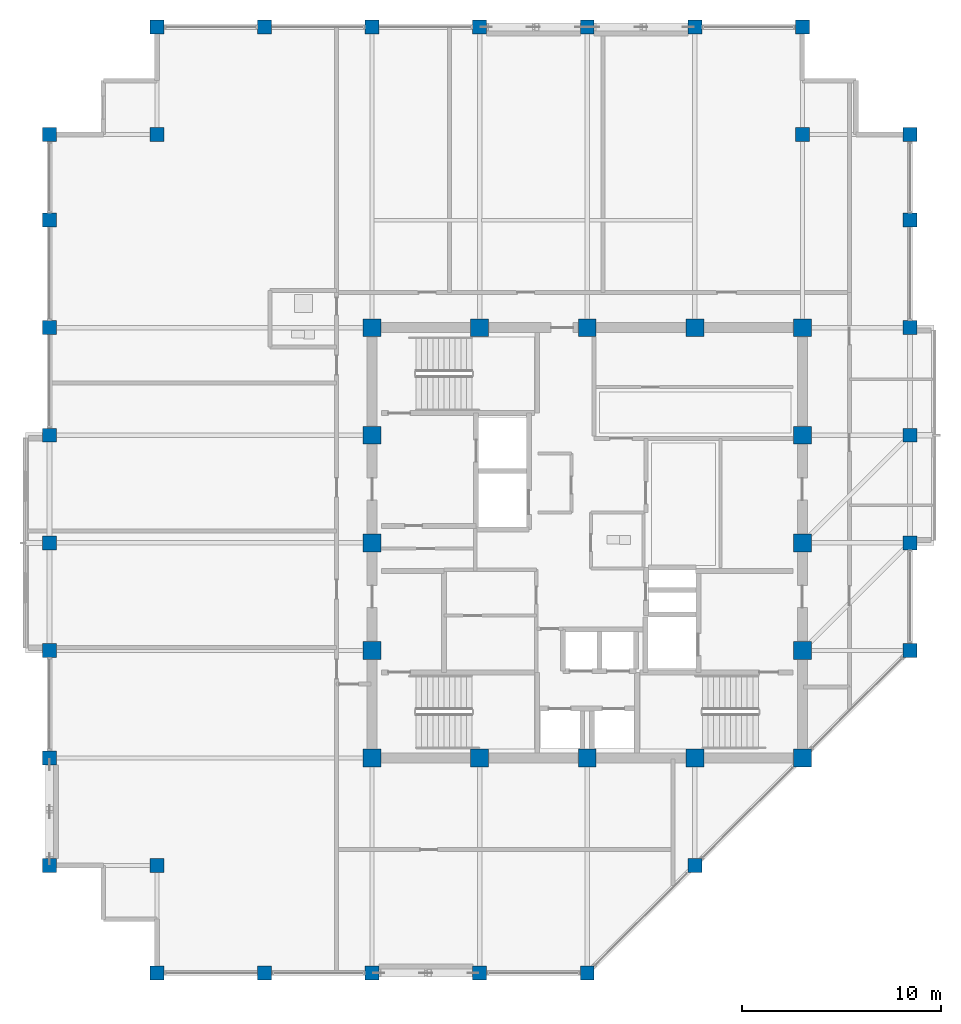
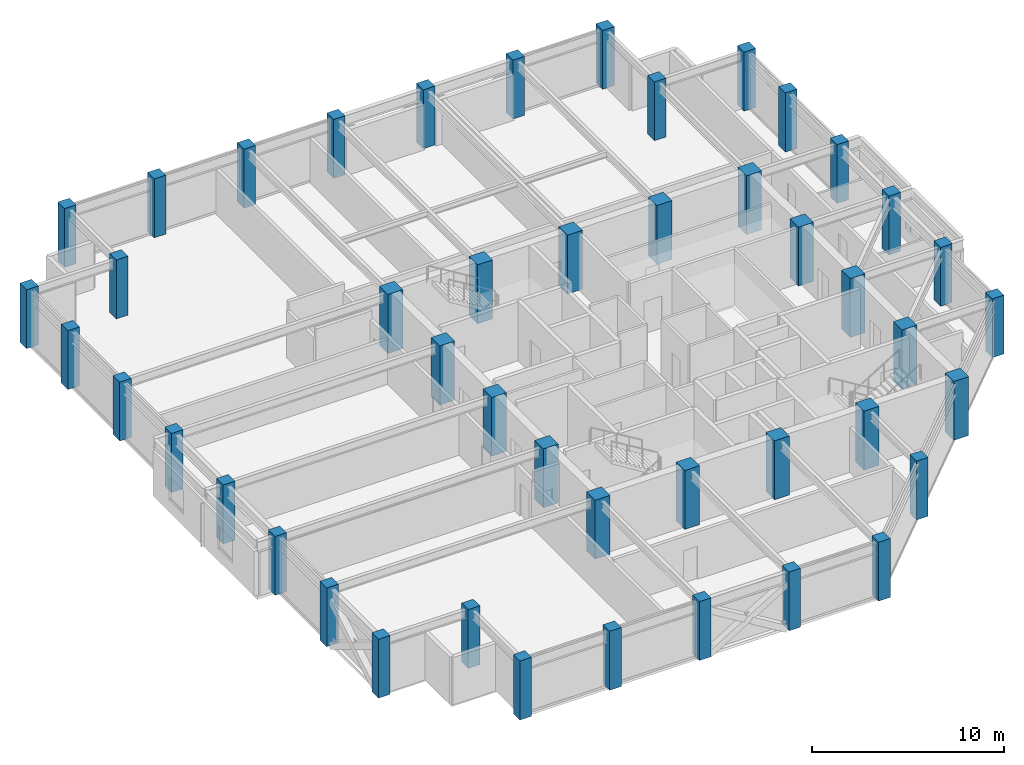
# One storey, part 1 of 29: 46 columns.
"""IFC4 building model written with IfcOpenShell, lengths in metres."""

import ifcopenshell
import ifcopenshell.guid

model = None  # the IFC model being written
_history = None  # IfcOwnerHistory: only IFC2X3 demands one
_inside = {}  # id of a spatial element -> (the spatial element, [elements in it])
_under = {}  # id of a project, library or spatial element -> (it, [spatial elements below it])
_declared = {}  # id of a project -> (the project, [libraries it declares])
_typed = {}  # id of a type object -> (the type object, [elements of that type])
_made_of = {}  # id of a material, layer set ... -> (it, [elements and type objects made of it])


def new_model(schema):
    """Start an empty IFC model of exactly this schema.

    Asked for "IFC4X3", IfcOpenShell would pick the latest addendum, in which some entities
    have other attributes; the version numbers below select the first issue.
    IFC2X3 requires an IfcOwnerHistory on every rooted entity: one is made here for all.
    """
    global model, _history
    if schema == "IFC4X3":
        model = ifcopenshell.file(schema_version=(4, 3, 0, 0))
    else:
        model = ifcopenshell.file(schema=schema)
    _inside.clear()
    _under.clear()
    _declared.clear()
    _typed.clear()
    _made_of.clear()
    _history = None
    if model.schema == "IFC2X3":
        org = make("IfcOrganization", Name="unknown")
        user = make(
            "IfcPersonAndOrganization",
            ThePerson=make("IfcPerson", FamilyName="unknown"),
            TheOrganization=org,
        )
        app = make(
            "IfcApplication",
            ApplicationDeveloper=org,
            Version="unknown",
            ApplicationFullName="unknown",
            ApplicationIdentifier="unknown",
        )
        _history = make(
            "IfcOwnerHistory",
            OwningUser=user,
            OwningApplication=app,
            ChangeAction="ADDED",
            CreationDate=0,
        )
    return model


def make(cls, **values):
    """One entity of the class cls with the attributes given. An attribute that is None is left unset."""
    return model.create_entity(
        cls, **{name: value for name, value in values.items() if value is not None}
    )


def rooted(cls, **values):
    """An entity with a GlobalId (a new one), such as an element, a storey or a relation."""
    return make(cls, GlobalId=ifcopenshell.guid.new(), OwnerHistory=_history, **values)


def si_unit(unit_type, name, prefix=None):
    """IfcSIUnit, for example si_unit("LENGTHUNIT", "METRE", prefix="MILLI")."""
    return make("IfcSIUnit", UnitType=unit_type, Prefix=prefix, Name=name)


def assignment(units):
    """IfcUnitAssignment: the units of a project."""
    return None if units is None else make("IfcUnitAssignment", Units=units)


def point(xyz):
    """IfcCartesianPoint."""
    return None if xyz is None else make("IfcCartesianPoint", Coordinates=xyz)


def direction(xyz):
    """IfcDirection."""
    return None if xyz is None else make("IfcDirection", DirectionRatios=xyz)


def frame(location, z_axis=None, x_axis=None):
    """IfcAxis2Placement3D, a coordinate frame: its origin and axes. An axis left out is left unset."""
    return make(
        "IfcAxis2Placement3D",
        Location=point(location),
        Axis=direction(z_axis),
        RefDirection=direction(x_axis),
    )


def frame_2d(location, x_axis=None):
    """IfcAxis2Placement2D, a coordinate frame in the plane: its origin and x axis."""
    return make(
        "IfcAxis2Placement2D", Location=point(location), RefDirection=direction(x_axis)
    )


def origin():
    """The frame at (0, 0, 0) with its axes left unset."""
    return frame((0.0, 0.0, 0.0))


def origin_2d():
    """The frame at (0, 0) in the plane with its x axis left unset."""
    return frame_2d((0.0, 0.0))


def place(relative_to, where):
    """IfcLocalPlacement: puts the frame where relative to a parent placement (None: the world)."""
    return make(
        "IfcLocalPlacement", PlacementRelTo=relative_to, RelativePlacement=where
    )


def context(
    kind, dimensions, precision=None, world=None, true_north=None, identifier=None
):
    """IfcGeometricRepresentationContext, for example the 3D "Model" context."""
    return make(
        "IfcGeometricRepresentationContext",
        ContextIdentifier=identifier,
        ContextType=kind,
        CoordinateSpaceDimension=dimensions,
        Precision=precision,
        WorldCoordinateSystem=world,
        TrueNorth=true_north,
    )


def subcontext(parent, identifier, kind, view, scale=None):
    """IfcGeometricRepresentationSubContext, for example "Body" below "Model"."""
    return make(
        "IfcGeometricRepresentationSubContext",
        ContextIdentifier=identifier,
        ContextType=kind,
        ParentContext=parent,
        TargetScale=scale,
        TargetView=view,
    )


def project(units=None, contexts=None):
    """IfcProject with its units and contexts."""
    return rooted(
        "IfcProject",
        Name="project",
        RepresentationContexts=contexts,
        UnitsInContext=assignment(units),
    )


def spatial(cls, under=None, at=None, **own):
    """A site, building, storey or space (cls), placed at a placement, below another one or the project."""
    s = rooted(cls, ObjectPlacement=at, **own)
    if under is not None:
        _under.setdefault(under.id(), (under, []))[1].append(s)
    return s


def profile(cls, at=None, kind="AREA", **sizes):
    """A parametric profile (cls). Its sizes go by their IFC names, for example OverallWidth=200.0."""
    return make(cls, ProfileType=kind, Position=at, **sizes)


def rectangle(**sizes):
    """IfcRectangleProfileDef."""
    return profile("IfcRectangleProfileDef", **sizes)


def extrude(swept, where, along, depth):
    """IfcExtrudedAreaSolid: the profile swept, set in the frame where, extruded along a direction by depth."""
    return make(
        "IfcExtrudedAreaSolid",
        SweptArea=swept,
        Position=where,
        ExtrudedDirection=direction(along),
        Depth=depth,
    )


def shape(context_of_items, identifier, shape_type, items):
    """IfcShapeRepresentation: the items that make up one representation, for example the "Body"."""
    return make(
        "IfcShapeRepresentation",
        ContextOfItems=context_of_items,
        RepresentationIdentifier=identifier,
        RepresentationType=shape_type,
        Items=items,
    )


def material(Name=None, Category=None):
    """IfcMaterial."""
    return make("IfcMaterial", Name=Name, Category=Category)


def material_profile(
    of_material, cross_section, Name=None, Category=None, Priority=None
):
    """IfcMaterialProfile: a cross section and its material."""
    return make(
        "IfcMaterialProfile",
        Name=Name,
        Material=of_material,
        Profile=cross_section,
        Priority=Priority,
        Category=Category,
    )


def profile_set(profiles, Name=None, composite=None):
    """IfcMaterialProfileSet."""
    return make(
        "IfcMaterialProfileSet",
        Name=Name,
        MaterialProfiles=profiles,
        CompositeProfile=composite,
    )


def made_of(thing, what):
    """Note that an element or type object is made of a material, layer set ...; save() writes the relation."""
    if what is not None:
        _made_of.setdefault(what.id(), (what, []))[1].append(thing)
    return thing


def type_object(cls, material=None, **own):
    """A type object (cls), such as IfcWallType, which elements share."""
    return made_of(rooted(cls, **own), material)


def element(
    cls,
    number,
    at=None,
    inside=None,
    cuts=None,
    type_object=None,
    material=None,
    context=None,
    identifier="Body",
    shape_type=None,
    held_by="IfcProductDefinitionShape",
    body=None,
    shapes=None,
    **own,
):
    """One element of the class cls, such as IfcWall. Its Tag is "e" and its number.

    at: its placement. inside: the storey or other place that contains it. cuts: it is an
    opening in that element (IfcRelVoidsElement). A single representation is given by context,
    identifier, shape_type and body (its items); several are given by shapes. held_by: the class
    of the entity that holds the representations. save() writes the other relations.
    """
    e = rooted(cls, Tag="e%d" % number, ObjectPlacement=at, **own)
    if body is not None:
        shapes = [shape(context, identifier, shape_type, body)]
    if shapes is not None:
        e.Representation = make(held_by, Representations=shapes)
    if inside is not None:
        _inside.setdefault(inside.id(), (inside, []))[1].append(e)
    if cuts is not None:
        rooted(
            "IfcRelVoidsElement", RelatingBuildingElement=cuts, RelatedOpeningElement=e
        )
    if type_object is not None:
        _typed.setdefault(type_object.id(), (type_object, []))[1].append(e)
    return made_of(e, material)


def aggregate(whole, parts):
    """IfcRelAggregates: a whole, such as a stair, and the parts it consists of."""
    return rooted("IfcRelAggregates", RelatingObject=whole, RelatedObjects=parts)


def save(model, path):
    """Write the relations noted so far, then the file.

    IfcRelAggregates (storeys below a building ...), IfcRelContainedInSpatialStructure (elements
    in a storey), IfcRelDefinesByType, IfcRelAssociatesMaterial and IfcRelDeclares: one each for
    every whole, place, type object, material and project.
    """
    for whole, parts in _under.values():
        aggregate(whole, parts)
    for where, things in _inside.values():
        rooted(
            "IfcRelContainedInSpatialStructure",
            RelatedElements=things,
            RelatingStructure=where,
        )
    for kind, things in _typed.values():
        rooted("IfcRelDefinesByType", RelatedObjects=things, RelatingType=kind)
    for what, things in _made_of.values():
        rooted("IfcRelAssociatesMaterial", RelatedObjects=things, RelatingMaterial=what)
    for by, libraries in _declared.values():
        rooted("IfcRelDeclares", RelatingContext=by, RelatedDefinitions=libraries)
    model.write(path)


model = new_model("IFC4")

# Units and contexts
model_context = context("Model", 3, precision=1e-05, world=origin(), true_north=direction((0.0, 1.0)))
body_context = subcontext(model_context, "Body", "Model", "MODEL_VIEW")
ifc_project = project(units=[si_unit("LENGTHUNIT", "METRE"), si_unit("AREAUNIT", "SQUARE_METRE"), si_unit("VOLUMEUNIT", "CUBIC_METRE"), si_unit("PLANEANGLEUNIT", "RADIAN"), si_unit("MASSUNIT", "GRAM", prefix="KILO")], contexts=[model_context])

# Site, building, storey
site_placement = place(None, origin())
site = spatial("IfcSite", under=ifc_project, at=site_placement, CompositionType="ELEMENT")
building_placement = place(site_placement, origin())
building = spatial("IfcBuilding", under=site, at=building_placement, Name="Surkhivell Harbour Commons", CompositionType="ELEMENT")
storey_placement = place(building_placement, frame((0.0, 0.0, 273.75)))
storey = spatial("IfcBuildingStorey", under=building, at=storey_placement, Name="L71", CompositionType="ELEMENT", Elevation=273.75)

# Columns
ifc_material_1 = material(Name="Concrete C60/75", Category="concrete")
ifc_material_profile_1 = material_profile(ifc_material_1, rectangle(XDim=0.89990234375, YDim=0.89990234375, at=origin_2d()), Name="RC-COL-900x900")
ifc_profile_set_1 = profile_set([ifc_material_profile_1], Name="Concrete C60/75")
column_type_1 = type_object("IfcColumnType", Name="COL-TUBE-Z3A", PredefinedType="COLUMN", material=ifc_profile_set_1)
for number, where, z_axis, x_axis, name in (
    (1, (-10.800048828125, -10.800048828125, 0.0), (0.0, 0.0, 1.0), (1.0, 0.0, 0.0), "L71 Column CT-3A (-10.8,-10.8)"),
    (2, (-10.800048828125, -5.39990234375, 0.0), (0.0, 0.0, 1.0), (1.0, 0.0, 0.0), "L71 Column CT-3A (-10.8,-5.4)"),
    (3, (-10.800048828125, 0.0, 0.0), (0.0, 0.0, 1.0), (1.0, 0.0, 0.0), "L71 Column CT-3A (-10.8,0.0)"),
    (4, (-10.800048828125, 5.39990234375, 0.0), (0.0, 0.0, 1.0), (1.0, 0.0, 0.0), "L71 Column CT-3A (-10.8,5.4)"),
    (5, (-10.800048828125, 10.800048828125, 0.0), (0.0, 0.0, 1.0), (1.0, 0.0, 0.0), "L71 Column CT-3A (-10.8,10.8)"),
    (6, (-5.39990234375, -10.800048828125, 0.0), (0.0, 0.0, 1.0), (1.0, 0.0, 0.0), "L71 Column CT-3A (-5.4,-10.8)"),
    (7, (-5.39990234375, 10.800048828125, 0.0), (0.0, 0.0, 1.0), (1.0, 0.0, 0.0), "L71 Column CT-3A (-5.4,10.8)"),
    (8, (0.0, -10.800048828125, 0.0), (0.0, 0.0, 1.0), (1.0, 0.0, 0.0), "L71 Column CT-3A (0.0,-10.8)"),
    (9, (0.0, 10.800048828125, 0.0), (0.0, 0.0, 1.0), (1.0, 0.0, 0.0), "L71 Column CT-3A (0.0,10.8)"),
    (10, (5.39990234375, -10.800048828125, 0.0), (0.0, 0.0, 1.0), (1.0, 0.0, 0.0), "L71 Column CT-3A (5.4,-10.8)"),
    (11, (5.39990234375, 10.800048828125, 0.0), (0.0, 0.0, 1.0), (1.0, 0.0, 0.0), "L71 Column CT-3A (5.4,10.8)"),
    (12, (10.800048828125, -10.800048828125, 0.0), (0.0, 0.0, 1.0), (1.0, 0.0, 0.0), "L71 Column CT-3A (10.8,-10.8)"),
    (13, (10.800048828125, -5.39990234375, 0.0), (0.0, 0.0, 1.0), (1.0, 0.0, 0.0), "L71 Column CT-3A (10.8,-5.4)"),
    (14, (10.800048828125, 0.0, 0.0), (0.0, 0.0, 1.0), (1.0, 0.0, 0.0), "L71 Column CT-3A (10.8,0.0)"),
    (15, (10.800048828125, 5.39990234375, 0.0), (0.0, 0.0, 1.0), (1.0, 0.0, 0.0), "L71 Column CT-3A (10.8,5.4)"),
    (16, (10.800048828125, 10.800048828125, 0.0), (0.0, 0.0, 1.0), (1.0, 0.0, 0.0), "L71 Column CT-3A (10.8,10.8)"),
):
    element("IfcColumn", number, at=place(storey_placement, frame(where, z_axis=z_axis, x_axis=x_axis)), inside=storey, type_object=column_type_1, Name=name, PredefinedType="COLUMN", context=body_context, shape_type="SweptSolid", body=[
        extrude(rectangle(XDim=0.89990234375, YDim=0.89990234375, at=origin_2d()), origin(), (0.0, 0.0, 1.0), 3.75),
    ])
ifc_material_2 = material(Name="Concrete C50/60", Category="concrete")
ifc_material_profile_2 = material_profile(ifc_material_2, rectangle(XDim=0.699951171875, YDim=0.699951171875, at=origin_2d()), Name="RC-COL-700x700")
ifc_profile_set_2 = profile_set([ifc_material_profile_2], Name="Concrete C50/60")
column_type_2 = type_object("IfcColumnType", Name="COL-TUBE-Z4", PredefinedType="COLUMN", material=ifc_profile_set_2)
for number, where, z_axis, x_axis, name in (
    (17, (-27.0, -16.199951171875, 0.0), (0.0, 0.0, 1.0), (1.0, 0.0, 0.0), "L71 Column CT-4 (-27.0,-16.2)"),
    (18, (-27.0, -10.800048828125, 0.0), (0.0, 0.0, 1.0), (1.0, 0.0, 0.0), "L71 Column CT-4 (-27.0,-10.8)"),
    (19, (-27.0, -5.39990234375, 0.0), (0.0, 0.0, 1.0), (1.0, 0.0, 0.0), "L71 Column CT-4 (-27.0,-5.4)"),
    (20, (-27.0, 0.0, 0.0), (0.0, 0.0, 1.0), (1.0, 0.0, 0.0), "L71 Column CT-4 (-27.0,0.0)"),
    (21, (-27.0, 5.39990234375, 0.0), (0.0, 0.0, 1.0), (1.0, 0.0, 0.0), "L71 Column CT-4 (-27.0,5.4)"),
    (22, (-27.0, 10.800048828125, 0.0), (0.0, 0.0, 1.0), (1.0, 0.0, 0.0), "L71 Column CT-4 (-27.0,10.8)"),
    (23, (-27.0, 16.199951171875, 0.0), (0.0, 0.0, 1.0), (1.0, 0.0, 0.0), "L71 Column CT-4 (-27.0,16.2)"),
    (24, (-27.0, 20.5, 0.0), (0.0, 0.0, 1.0), (1.0, 0.0, 0.0), "L71 Column CT-4 (-27.0,20.5)"),
    (25, (-21.60009765625, -21.60009765625, 0.0), (0.0, 0.0, 1.0), (1.0, 0.0, 0.0), "L71 Column CT-4 (-21.6,-21.6)"),
    (26, (-21.60009765625, -16.199951171875, 0.0), (0.0, 0.0, 1.0), (1.0, 0.0, 0.0), "L71 Column CT-4 (-21.6,-16.2)"),
    (27, (-21.60009765625, 20.5, 0.0), (0.0, 0.0, 1.0), (1.0, 0.0, 0.0), "L71 Column CT-4 (-21.6,20.5)"),
    (28, (-21.60009765625, 25.89990234375, 0.0), (0.0, 0.0, 1.0), (1.0, 0.0, 0.0), "L71 Column CT-4 (-21.6,25.9)"),
    (29, (-16.199951171875, -21.60009765625, 0.0), (0.0, 0.0, 1.0), (1.0, 0.0, 0.0), "L71 Column CT-4 (-16.2,-21.6)"),
    (30, (-16.199951171875, 25.89990234375, 0.0), (0.0, 0.0, 1.0), (1.0, 0.0, 0.0), "L71 Column CT-4 (-16.2,25.9)"),
    (31, (-10.800048828125, -21.60009765625, 0.0), (0.0, 0.0, 1.0), (1.0, 0.0, 0.0), "L71 Column CT-4 (-10.8,-21.6)"),
    (32, (-10.800048828125, 25.89990234375, 0.0), (0.0, 0.0, 1.0), (1.0, 0.0, 0.0), "L71 Column CT-4 (-10.8,25.9)"),
    (33, (-5.39990234375, -21.60009765625, 0.0), (0.0, 0.0, 1.0), (1.0, 0.0, 0.0), "L71 Column CT-4 (-5.4,-21.6)"),
    (34, (-5.39990234375, 25.89990234375, 0.0), (0.0, 0.0, 1.0), (1.0, 0.0, 0.0), "L71 Column CT-4 (-5.4,25.9)"),
    (35, (0.0, -21.60009765625, 0.0), (0.0, 0.0, 1.0), (1.0, 0.0, 0.0), "L71 Column CT-4 (-0.0,-21.6)"),
    (36, (0.0, 25.89990234375, 0.0), (0.0, 0.0, 1.0), (1.0, 0.0, 0.0), "L71 Column CT-4 (-0.0,25.9)"),
    (37, (5.39990234375, -16.199951171875, 0.0), (0.0, 0.0, 1.0), (1.0, 0.0, 0.0), "L71 Column CT-4 (5.4,-16.2)"),
    (38, (5.39990234375, 25.89990234375, 0.0), (0.0, 0.0, 1.0), (1.0, 0.0, 0.0), "L71 Column CT-4 (5.4,25.9)"),
    (39, (10.800048828125, 20.5, 0.0), (0.0, 0.0, 1.0), (1.0, 0.0, 0.0), "L71 Column CT-4 (10.8,20.5)"),
    (40, (10.800048828125, 25.89990234375, 0.0), (0.0, 0.0, 1.0), (1.0, 0.0, 0.0), "L71 Column CT-4 (10.8,25.9)"),
    (41, (16.199951171875, -5.39990234375, 0.0), (0.0, 0.0, 1.0), (1.0, 0.0, 0.0), "L71 Column CT-4 (16.2,-5.4)"),
    (42, (16.199951171875, 0.0, 0.0), (0.0, 0.0, 1.0), (1.0, 0.0, 0.0), "L71 Column CT-4 (16.2,0.0)"),
    (43, (16.199951171875, 5.39990234375, 0.0), (0.0, 0.0, 1.0), (1.0, 0.0, 0.0), "L71 Column CT-4 (16.2,5.4)"),
    (44, (16.199951171875, 10.800048828125, 0.0), (0.0, 0.0, 1.0), (1.0, 0.0, 0.0), "L71 Column CT-4 (16.2,10.8)"),
    (45, (16.199951171875, 16.199951171875, 0.0), (0.0, 0.0, 1.0), (1.0, 0.0, 0.0), "L71 Column CT-4 (16.2,16.2)"),
    (46, (16.199951171875, 20.5, 0.0), (0.0, 0.0, 1.0), (1.0, 0.0, 0.0), "L71 Column CT-4 (16.2,20.5)"),
):
    element("IfcColumn", number, at=place(storey_placement, frame(where, z_axis=z_axis, x_axis=x_axis)), inside=storey, type_object=column_type_2, Name=name, PredefinedType="COLUMN", context=body_context, shape_type="SweptSolid", body=[
        extrude(rectangle(XDim=0.699951171875, YDim=0.699951171875, at=origin_2d()), origin(), (0.0, 0.0, 1.0), 3.75),
    ])

save(model, "model.ifc")
